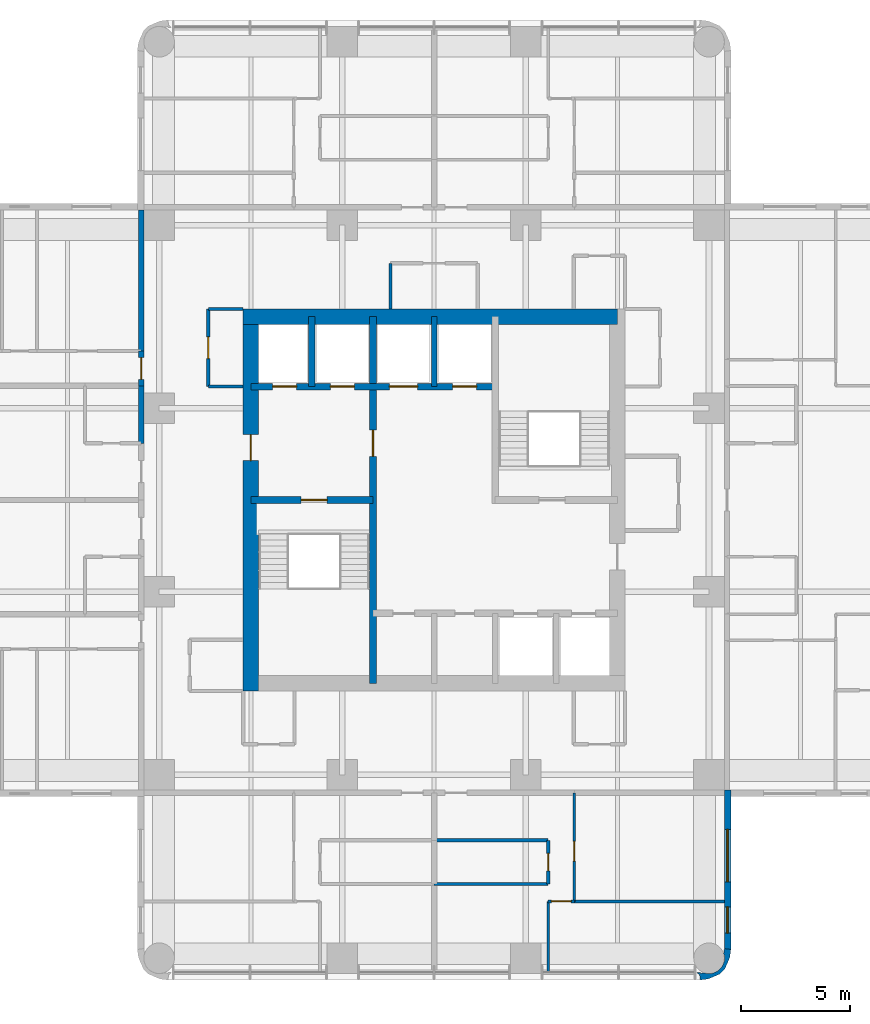
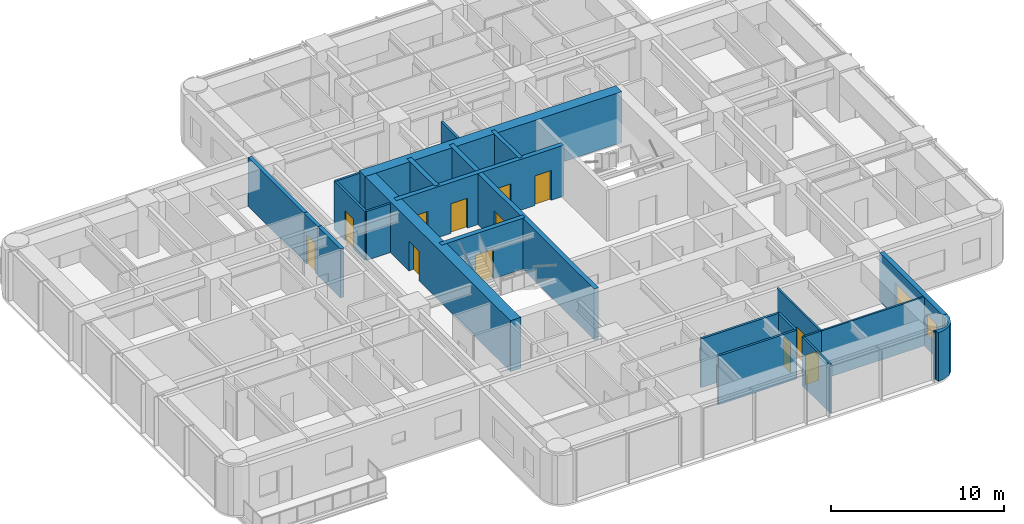
# One storey, part 6 of 11: 23 walls, 12 doors, 2 windows, 14 openings.
"""IFC4 building model written with IfcOpenShell, lengths in metres."""

from ifc_helpers import new_model, si_unit, direction, frame, frame_2d, origin, place, context, subcontext, project, spatial, polyline, rectangle, outline, extrude, material, layer, layer_set, type_object, element, fill, save


model = new_model("IFC4")

# Units and contexts
model_context = context("Model", 3, precision=1e-05, world=origin(), true_north=direction((0.0, 1.0)))
body_context = subcontext(model_context, "Body", "Model", "MODEL_VIEW")
ifc_project = project(units=[si_unit("LENGTHUNIT", "METRE"), si_unit("AREAUNIT", "SQUARE_METRE"), si_unit("VOLUMEUNIT", "CUBIC_METRE"), si_unit("PLANEANGLEUNIT", "RADIAN"), si_unit("MASSUNIT", "GRAM", prefix="KILO")], contexts=[model_context])

# Site, building, storey
site_placement = place(None, origin())
site = spatial("IfcSite", under=ifc_project, at=site_placement, CompositionType="ELEMENT")
building_placement = place(site_placement, origin())
building = spatial("IfcBuilding", under=site, at=building_placement, Name="Torre Alcanfor", CompositionType="ELEMENT")
storey_placement = place(building_placement, frame((0.0, 0.0, 212.10009765625)))
storey = spatial("IfcBuildingStorey", under=building, at=storey_placement, Name="L55", CompositionType="ELEMENT", Elevation=212.10009765625)

# Wall
ifc_material_1 = material(Name="Concrete block masonry, hollow blocks NMX-C-404 9 MPa", Category="masonry")
ifc_layer_1 = layer(ifc_material_1, 0.25)
ifc_layer_set_1 = layer_set([ifc_layer_1], Name="Apartment entrance wall 250 EI 60")
wall_type_1 = type_object("IfcWallType", Name="Apartment entrance wall 250 EI 60", PredefinedType="PARTITIONING", material=ifc_layer_set_1)
wall_1_placement = place(storey_placement, frame((15.97509765625, 32.0, 0.0), z_axis=(0.0, 0.0, 1.0), x_axis=(0.0, 1.0, 0.0)))
element("IfcWall", 1, at=wall_1_placement, inside=storey, type_object=wall_type_1, Name="Partition L55-CORR / L55-W2A-BATH", PredefinedType="PARTITIONING", context=body_context, shape_type="SweptSolid", body=[
    extrude(rectangle(XDim=2.62890625, YDim=0.25, at=frame_2d((1.314453125, 0.0))), origin(), (0.0, 0.0, 1.0), 3.449951171875),
])

# Wall, opening, door
wall_2_placement = place(storey_placement, frame((15.97509765625, 34.62890625, 0.0), z_axis=(0.0, 0.0, 1.0), x_axis=(0.0, 1.0, 0.0)))
wall_2 = element("IfcWall", 2, at=wall_2_placement, inside=storey, type_object=wall_type_1, Name="Partition L55-CORR / L55-W2B-HALL", PredefinedType="PARTITIONING", context=body_context, shape_type="SweptSolid", body=[
    extrude(rectangle(XDim=1.60009765625, YDim=0.25, at=frame_2d((0.800048828125, 0.0))), origin(), (0.0, 0.0, 1.0), 3.449951171875),
])
opening_1_placement = place(wall_2_placement, frame((0.300048828125, 0.0, 0.0)))
opening_1 = element("IfcOpeningElement", 3, at=opening_1_placement, cuts=wall_2, Name="Opening D-A1", PredefinedType="OPENING", context=body_context, shape_type="SweptSolid", body=[
    extrude(rectangle(XDim=1.0, YDim=2.10009765625, at=frame_2d((0.5, 1.050048828125))), frame((0.0, 0.135009765625, 0.0), z_axis=(0.0, -1.0, 0.0), x_axis=(1.0, 0.0, 0.0)), (0.0, 0.0, 1.0), 0.27001953125),
])
ifc_material_2 = material(Name="Galvanised steel sheet ASTM A653", Category="steel")
door_type_1 = type_object("IfcDoorType", Name="Apartment entrance door FD60 1000x2100", OperationType="SINGLE_SWING_LEFT", PredefinedType="DOOR", material=ifc_material_2)
door_1_placement = place(opening_1_placement, origin())
door_1 = element("IfcDoor", 4, at=door_1_placement, inside=storey, type_object=door_type_1, Name="Apartment entrance L55-W2B", OperationType="SINGLE_SWING_LEFT", OverallHeight=2.10009765625, OverallWidth=1.0, PredefinedType="DOOR", context=body_context, shape_type="SweptSolid", body=[
    extrude(rectangle(XDim=1.0, YDim=2.10009765625, at=frame_2d((0.5, 1.050048828125))), frame((0.0, 0.02490234375, 0.0), z_axis=(0.0, -1.0, 0.0), x_axis=(1.0, 0.0, 0.0)), (0.0, 0.0, 1.0), 0.050048828125),
])
fill(opening_1, door_1)

# Wall
wall_3_placement = place(storey_placement, frame((15.97509765625, 36.22900390625, 0.0), z_axis=(0.0, 0.0, 1.0), x_axis=(0.0, 1.0, 0.0)))
element("IfcWall", 5, at=wall_3_placement, inside=storey, type_object=wall_type_1, Name="Partition L55-CORR / L55-W2B-BED2", PredefinedType="PARTITIONING", context=body_context, shape_type="SweptSolid", body=[
    extrude(rectangle(XDim=6.470947265625, YDim=0.25, at=frame_2d((3.2353515625, 0.0))), origin(), (0.0, 0.0, 1.0), 3.449951171875),
])

# Wall, opening, door
ifc_material_3 = material(Name="Gypsum board on steel studs", Category="steel")
ifc_layer_2 = layer(ifc_material_3, 0.1201171875)
ifc_layer_set_2 = layer_set([ifc_layer_2], Name="Apartment partition 120")
wall_type_2 = type_object("IfcWallType", Name="Apartment partition 120", PredefinedType="PARTITIONING", material=ifc_layer_set_2)
wall_4_placement = place(storey_placement, frame((35.8291015625, 15.97509765625, 0.0), z_axis=(0.0, 0.0, 1.0), x_axis=(0.0, -1.0, 0.0)))
wall_4 = element("IfcWall", 6, at=wall_4_placement, inside=storey, type_object=wall_type_2, Name="Partition L55-S1-LIVING / L55-S1-BED2", PredefinedType="PARTITIONING", context=body_context, shape_type="SweptSolid", body=[
    extrude(rectangle(XDim=4.97509765625, YDim=0.1201171875, at=frame_2d((2.487548828125, 0.0))), origin(), (0.0, 0.0, 1.0), 3.449951171875),
])
opening_2_placement = place(wall_4_placement, frame((2.22509765625, 0.0, 0.0)))
opening_2 = element("IfcOpeningElement", 7, at=opening_2_placement, cuts=wall_4, Name="Opening D-R1", PredefinedType="OPENING", context=body_context, shape_type="SweptSolid", body=[
    extrude(rectangle(XDim=0.89990234375, YDim=2.10009765625, at=frame_2d((0.449951171875, 1.050048828125))), frame((0.0, 0.070068359375, 0.0), z_axis=(0.0, -1.0, 0.0), x_axis=(1.0, 0.0, 0.0)), (0.0, 0.0, 1.0), 0.14013671875),
])
ifc_material_4 = material(Name="Timber", Category="wood")
door_type_2 = type_object("IfcDoorType", Name="Internal door 900x2100", OperationType="SINGLE_SWING_LEFT", PredefinedType="DOOR", material=ifc_material_4)
door_2_placement = place(opening_2_placement, origin())
door_2 = element("IfcDoor", 8, at=door_2_placement, inside=storey, type_object=door_type_2, Name="Door L55-S1 bed2", OperationType="SINGLE_SWING_RIGHT", OverallHeight=2.10009765625, OverallWidth=0.89990234375, PredefinedType="DOOR", context=body_context, shape_type="SweptSolid", body=[
    extrude(rectangle(XDim=0.89990234375, YDim=2.10009765625, at=frame_2d((0.449951171875, 1.050048828125))), frame((0.0, 0.02490234375, 0.0), z_axis=(0.0, -1.0, 0.0), x_axis=(1.0, 0.0, 0.0)), (0.0, 0.0, 1.0), 0.050048828125),
])
fill(opening_2, door_2)

wall_5_placement = place(storey_placement, frame((35.8291015625, 11.0, 0.0), z_axis=(0.0, 0.0, 1.0), x_axis=(-1.0, 0.0, 0.0)))
wall_5 = element("IfcWall", 9, at=wall_5_placement, inside=storey, type_object=wall_type_2, Name="Partition L55-S1-LIVING / L55-S1-MASTER", PredefinedType="PARTITIONING", context=body_context, shape_type="SweptSolid", body=[
    extrude(rectangle(XDim=1.2001953125, YDim=0.1201171875, at=frame_2d((0.60009765625, 0.0))), origin(), (0.0, 0.0, 1.0), 3.449951171875),
])
opening_3_placement = place(wall_5_placement, frame((0.14892578125, 0.0, 0.0)))
opening_3 = element("IfcOpeningElement", 10, at=opening_3_placement, cuts=wall_5, Name="Opening D-R1", PredefinedType="OPENING", context=body_context, shape_type="SweptSolid", body=[
    extrude(rectangle(XDim=0.89990234375, YDim=2.10009765625, at=frame_2d((0.449951171875, 1.050048828125))), frame((0.0, 0.070068359375, 0.0), z_axis=(0.0, -1.0, 0.0), x_axis=(1.0, 0.0, 0.0)), (0.0, 0.0, 1.0), 0.14013671875),
])
door_3_placement = place(opening_3_placement, origin())
door_3 = element("IfcDoor", 11, at=door_3_placement, inside=storey, type_object=door_type_2, Name="Door L55-S1 master", OperationType="SINGLE_SWING_RIGHT", OverallHeight=2.10009765625, OverallWidth=0.89990234375, PredefinedType="DOOR", context=body_context, shape_type="SweptSolid", body=[
    extrude(rectangle(XDim=0.89990234375, YDim=2.10009765625, at=frame_2d((0.449951171875, 1.050048828125))), frame((0.0, 0.02490234375, 0.0), z_axis=(0.0, -1.0, 0.0), x_axis=(1.0, 0.0, 0.0)), (0.0, 0.0, 1.0), 0.050048828125),
])
fill(opening_3, door_3)

# Walls
wall_6_placement = place(storey_placement, frame((34.62890625, 11.0, 0.0), z_axis=(0.0, 0.0, 1.0), x_axis=(0.0, -1.0, 0.0)))
element("IfcWall", 12, at=wall_6_placement, inside=storey, type_object=wall_type_2, Name="Partition L55-S1-LIVING / L55-S1-MASTER", PredefinedType="PARTITIONING", context=body_context, shape_type="SweptSolid", body=[
    extrude(rectangle(XDim=3.25, YDim=0.1201171875, at=frame_2d((1.625, 0.0))), origin(), (0.0, 0.0, 1.0), 3.449951171875),
])
wall_7_placement = place(storey_placement, frame((35.8291015625, 11.0, 0.0), z_axis=(0.0, 0.0, 1.0), x_axis=(1.0, 0.0, 0.0)))
element("IfcWall", 13, at=wall_7_placement, inside=storey, type_object=wall_type_2, Name="Partition L55-S1-BED2 / L55-S1-MASTER", PredefinedType="PARTITIONING", context=body_context, shape_type="SweptSolid", body=[
    extrude(rectangle(XDim=6.870849609375, YDim=0.1201171875, at=frame_2d((3.435546875, 0.0))), origin(), (0.0, 0.0, 1.0), 3.449951171875),
])

# Wall, opening, door
ifc_material_5 = material(Name="Concrete f'c 70 MPa", Category="concrete")
ifc_layer_3 = layer(ifc_material_5, 0.300048828125)
ifc_layer_set_3 = layer_set([ifc_layer_3], Name="Core inner wall 300 f'c70")
wall_type_3 = type_object("IfcWallType", Name="Core inner wall 300 f'c70", PredefinedType="SHEAR", material=ifc_layer_set_3)
wall_8_placement = place(storey_placement, frame((26.60009765625, 21.0, 0.0), z_axis=(0.0, 0.0, 1.0), x_axis=(0.0, 1.0, 0.0)))
wall_8 = element("IfcWall", 14, at=wall_8_placement, inside=storey, type_object=wall_type_3, Name="Core wall X266 L55", PredefinedType="SHEAR", context=body_context, shape_type="SweptSolid", body=[
    extrude(rectangle(XDim=16.800048828125, YDim=0.300048828125, at=frame_2d((8.39990234375, 0.0))), origin(), (0.0, 0.0, 1.0), 3.599853515625),
])
opening_4_placement = place(wall_8_placement, frame((10.39990234375, 0.0, 0.0)))
opening_4 = element("IfcOpeningElement", 15, at=opening_4_placement, cuts=wall_8, Name="Opening D-L1", PredefinedType="OPENING", context=body_context, shape_type="SweptSolid", body=[
    extrude(rectangle(XDim=1.199951171875, YDim=2.10009765625, at=frame_2d((0.60009765625, 1.050048828125))), frame((0.0, 0.159912109375, 0.0), z_axis=(0.0, -1.0, 0.0), x_axis=(1.0, 0.0, 0.0)), (0.0, 0.0, 1.0), 0.320068359375),
])
ifc_material_6 = material(Name="Galvanised steel sheet ASTM A653", Category="steel")
door_type_3 = type_object("IfcDoorType", Name="Lobby door FD120 1200x2100", OperationType="SINGLE_SWING_LEFT", PredefinedType="DOOR", material=ifc_material_6)
door_4_placement = place(opening_4_placement, origin())
door_4 = element("IfcDoor", 16, at=door_4_placement, inside=storey, type_object=door_type_3, Name="Lift lobby door L55", OperationType="SINGLE_SWING_LEFT", OverallHeight=2.10009765625, OverallWidth=1.199951171875, PredefinedType="DOOR", context=body_context, shape_type="SweptSolid", body=[
    extrude(rectangle(XDim=1.199951171875, YDim=2.10009765625, at=frame_2d((0.60009765625, 1.050048828125))), frame((0.0, 0.02490234375, 0.0), z_axis=(0.0, -1.0, 0.0), x_axis=(1.0, 0.0, 0.0)), (0.0, 0.0, 1.0), 0.050048828125),
])
fill(opening_4, door_4)

wall_9_placement = place(storey_placement, frame((21.0, 29.39990234375, 0.0), z_axis=(0.0, 0.0, 1.0), x_axis=(1.0, 0.0, 0.0)))
wall_9 = element("IfcWall", 17, at=wall_9_placement, inside=storey, type_object=wall_type_3, Name="Core wall Y294W L55", PredefinedType="SHEAR", context=body_context, shape_type="SweptSolid", body=[
    extrude(rectangle(XDim=5.60009765625, YDim=0.300048828125, at=frame_2d((2.800048828125, 0.0))), origin(), (0.0, 0.0, 1.0), 3.599853515625),
])
opening_5_placement = place(wall_9_placement, frame((2.300048828125, 0.0, 0.0)))
opening_5 = element("IfcOpeningElement", 18, at=opening_5_placement, cuts=wall_9, Name="Opening D-S2", PredefinedType="OPENING", context=body_context, shape_type="SweptSolid", body=[
    extrude(rectangle(XDim=1.199951171875, YDim=2.10009765625, at=frame_2d((0.60009765625, 1.050048828125))), frame((0.0, 0.159912109375, 0.0), z_axis=(0.0, -1.0, 0.0), x_axis=(1.0, 0.0, 0.0)), (0.0, 0.0, 1.0), 0.320068359375),
])
ifc_material_7 = material(Name="Galvanised steel sheet ASTM A653", Category="steel")
door_type_4 = type_object("IfcDoorType", Name="Stair enclosure door FD120 1200x2100", OperationType="SINGLE_SWING_LEFT", PredefinedType="DOOR", material=ifc_material_7)
door_5_placement = place(opening_5_placement, frame((1.199951171875, 0.0, 0.0), z_axis=(0.0, 0.0, 1.0), x_axis=(-1.0, 0.0, 0.0)))
door_5 = element("IfcDoor", 19, at=door_5_placement, inside=storey, type_object=door_type_4, Name="Stair S1 door L55", OperationType="SINGLE_SWING_LEFT", OverallHeight=2.10009765625, OverallWidth=1.199951171875, PredefinedType="DOOR", context=body_context, shape_type="SweptSolid", body=[
    extrude(rectangle(XDim=1.199951171875, YDim=2.10009765625, at=frame_2d((0.599853515625, 1.050048828125))), frame((0.0, 0.025146484375, 0.0), z_axis=(0.0, -1.0, 0.0), x_axis=(1.0, 0.0, 0.0)), (0.0, 0.0, 1.0), 0.050048828125),
])
fill(opening_5, door_5)

# Wall, openings, doors
wall_10_placement = place(storey_placement, frame((21.0, 34.60009765625, 0.0), z_axis=(0.0, 0.0, 1.0), x_axis=(1.0, 0.0, 0.0)))
wall_10 = element("IfcWall", 20, at=wall_10_placement, inside=storey, type_object=wall_type_3, Name="Core wall Y346 L55", PredefinedType="SHEAR", context=body_context, shape_type="SweptSolid", body=[
    extrude(rectangle(XDim=11.199951171875, YDim=0.300048828125, at=frame_2d((5.60009765625, 0.0))), origin(), (0.0, 0.0, 1.0), 3.599853515625),
])
opening_6_placement = place(wall_10_placement, frame((9.25, 0.0, 0.0)))
opening_6 = element("IfcOpeningElement", 21, at=opening_6_placement, cuts=wall_10, Name="Opening LD1", PredefinedType="OPENING", context=body_context, shape_type="SweptSolid", body=[
    extrude(rectangle(XDim=1.10009765625, YDim=2.10009765625, at=frame_2d((0.550048828125, 1.050048828125))), frame((0.0, 0.159912109375, 0.0), z_axis=(0.0, -1.0, 0.0), x_axis=(1.0, 0.0, 0.0)), (0.0, 0.0, 1.0), 0.320068359375),
])
opening_7_placement = place(wall_10_placement, frame((1.0, 0.0, 0.0)))
opening_7 = element("IfcOpeningElement", 22, at=opening_7_placement, cuts=wall_10, Name="Opening LD2", PredefinedType="OPENING", context=body_context, shape_type="SweptSolid", body=[
    extrude(rectangle(XDim=1.10009765625, YDim=2.10009765625, at=frame_2d((0.550048828125, 1.050048828125))), frame((0.0, 0.159912109375, 0.0), z_axis=(0.0, -1.0, 0.0), x_axis=(1.0, 0.0, 0.0)), (0.0, 0.0, 1.0), 0.320068359375),
])
opening_8_placement = place(wall_10_placement, frame((3.64990234375, 0.0, 0.0)))
opening_8 = element("IfcOpeningElement", 23, at=opening_8_placement, cuts=wall_10, Name="Opening LD2", PredefinedType="OPENING", context=body_context, shape_type="SweptSolid", body=[
    extrude(rectangle(XDim=1.10009765625, YDim=2.10009765625, at=frame_2d((0.550048828125, 1.050048828125))), frame((0.0, 0.159912109375, 0.0), z_axis=(0.0, -1.0, 0.0), x_axis=(1.0, 0.0, 0.0)), (0.0, 0.0, 1.0), 0.320068359375),
])
opening_9_placement = place(wall_10_placement, frame((6.35009765625, 0.0, 0.0)))
opening_9 = element("IfcOpeningElement", 24, at=opening_9_placement, cuts=wall_10, Name="Opening LD3", PredefinedType="OPENING", context=body_context, shape_type="SweptSolid", body=[
    extrude(rectangle(XDim=1.300048828125, YDim=2.10009765625, at=frame_2d((0.64990234375, 1.050048828125))), frame((0.0, 0.159912109375, 0.0), z_axis=(0.0, -1.0, 0.0), x_axis=(1.0, 0.0, 0.0)), (0.0, 0.0, 1.0), 0.320068359375),
])
ifc_material_8 = material(Name="Galvanised steel sheet ASTM A653", Category="steel")
door_type_5 = type_object("IfcDoorType", Name="Firefighting lift landing door 1100x2100", OperationType="DOUBLE_DOOR_SLIDING", PredefinedType="DOOR", material=ifc_material_8)
door_6_placement = place(opening_7_placement, origin())
door_6 = element("IfcDoor", 25, at=door_6_placement, inside=storey, type_object=door_type_5, Name="Lift landing door FL1 L55", OperationType="DOUBLE_DOOR_SLIDING", OverallHeight=2.10009765625, OverallWidth=1.10009765625, PredefinedType="DOOR", context=body_context, shape_type="SweptSolid", body=[
    extrude(rectangle(XDim=1.10009765625, YDim=2.10009765625, at=frame_2d((0.550048828125, 1.050048828125))), frame((0.0, 0.02490234375, 0.0), z_axis=(0.0, -1.0, 0.0), x_axis=(1.0, 0.0, 0.0)), (0.0, 0.0, 1.0), 0.050048828125),
])
fill(opening_7, door_6)
door_7_placement = place(opening_8_placement, origin())
door_7 = element("IfcDoor", 26, at=door_7_placement, inside=storey, type_object=door_type_5, Name="Lift landing door FL2 L55", OperationType="DOUBLE_DOOR_SLIDING", OverallHeight=2.10009765625, OverallWidth=1.10009765625, PredefinedType="DOOR", context=body_context, shape_type="SweptSolid", body=[
    extrude(rectangle(XDim=1.10009765625, YDim=2.10009765625, at=frame_2d((0.550048828125, 1.050048828125))), frame((0.0, 0.02490234375, 0.0), z_axis=(0.0, -1.0, 0.0), x_axis=(1.0, 0.0, 0.0)), (0.0, 0.0, 1.0), 0.050048828125),
])
fill(opening_8, door_7)
ifc_material_9 = material(Name="Galvanised steel sheet ASTM A653", Category="steel")
door_type_6 = type_object("IfcDoorType", Name="Lift landing door 1100x2100", OperationType="DOUBLE_DOOR_SLIDING", PredefinedType="DOOR", material=ifc_material_9)
door_8_placement = place(opening_6_placement, origin())
door_8 = element("IfcDoor", 27, at=door_8_placement, inside=storey, type_object=door_type_6, Name="Lift landing door PA5 L55", OperationType="DOUBLE_DOOR_SLIDING", OverallHeight=2.10009765625, OverallWidth=1.10009765625, PredefinedType="DOOR", context=body_context, shape_type="SweptSolid", body=[
    extrude(rectangle(XDim=1.10009765625, YDim=2.10009765625, at=frame_2d((0.550048828125, 1.050048828125))), frame((0.0, 0.02490234375, 0.0), z_axis=(0.0, -1.0, 0.0), x_axis=(1.0, 0.0, 0.0)), (0.0, 0.0, 1.0), 0.050048828125),
])
fill(opening_6, door_8)
ifc_material_10 = material(Name="Galvanised steel sheet ASTM A653", Category="steel")
door_type_7 = type_object("IfcDoorType", Name="Service lift landing door 1300x2100", OperationType="DOUBLE_DOOR_SLIDING", PredefinedType="DOOR", material=ifc_material_10)
door_9_placement = place(opening_9_placement, origin())
door_9 = element("IfcDoor", 28, at=door_9_placement, inside=storey, type_object=door_type_7, Name="Lift landing door SL1 L55", OperationType="DOUBLE_DOOR_SLIDING", OverallHeight=2.10009765625, OverallWidth=1.300048828125, PredefinedType="DOOR", context=body_context, shape_type="SweptSolid", body=[
    extrude(rectangle(XDim=1.300048828125, YDim=2.10009765625, at=frame_2d((0.64990234375, 1.050048828125))), frame((0.0, 0.02490234375, 0.0), z_axis=(0.0, -1.0, 0.0), x_axis=(1.0, 0.0, 0.0)), (0.0, 0.0, 1.0), 0.050048828125),
])
fill(opening_9, door_9)

# Walls
wall_11_placement = place(storey_placement, frame((23.800048828125, 34.60009765625, 0.0), z_axis=(0.0, 0.0, 1.0), x_axis=(0.0, 1.0, 0.0)))
element("IfcWall", 29, at=wall_11_placement, inside=storey, type_object=wall_type_3, Name="Core wall X238 L55", PredefinedType="SHEAR", context=body_context, shape_type="SweptSolid", body=[
    extrude(rectangle(XDim=3.199951171875, YDim=0.300048828125, at=frame_2d((1.60009765625, 0.0))), origin(), (0.0, 0.0, 1.0), 3.599853515625),
])
ifc_material_11 = material(Name="Concrete f'c 70 MPa", Category="concrete")
ifc_layer_4 = layer(ifc_material_11, 0.25)
ifc_layer_set_4 = layer_set([ifc_layer_4], Name="Core shaft wall 250 f'c70")
wall_type_4 = type_object("IfcWallType", Name="Core shaft wall 250 f'c70", PredefinedType="SHEAR", material=ifc_layer_set_4)
wall_12_placement = place(storey_placement, frame((29.39990234375, 34.60009765625, 0.0), z_axis=(0.0, 0.0, 1.0), x_axis=(0.0, 1.0, 0.0)))
element("IfcWall", 30, at=wall_12_placement, inside=storey, type_object=wall_type_4, Name="Core wall X294N L55", PredefinedType="SHEAR", context=body_context, shape_type="SweptSolid", body=[
    extrude(rectangle(XDim=3.199951171875, YDim=0.25, at=frame_2d((1.60009765625, 0.0))), origin(), (0.0, 0.0, 1.0), 3.599853515625),
])
ifc_material_12 = material(Name="Concrete f'c 70 MPa", Category="concrete")
ifc_layer_5 = layer(ifc_material_12, 0.699951171875)
ifc_layer_set_5 = layer_set([ifc_layer_5], Name="Core wall 700 f'c70")
wall_type_5 = type_object("IfcWallType", Name="Core wall 700 f'c70", PredefinedType="SHEAR", material=ifc_layer_set_5)
wall_13_placement = place(storey_placement, frame((37.800048828125, 37.800048828125, 0.0), z_axis=(0.0, 0.0, 1.0), x_axis=(-1.0, 0.0, 0.0)))
element("IfcWall", 31, at=wall_13_placement, inside=storey, type_object=wall_type_5, Name="Core wall OUT-N L55", PredefinedType="SHEAR", context=body_context, shape_type="SweptSolid", body=[
    extrude(rectangle(XDim=17.150146484375, YDim=0.699951171875, at=frame_2d((8.5751953125, 0.0))), origin(), (0.0, 0.0, 1.0), 3.599853515625),
])

# Wall, opening, door
wall_14_placement = place(storey_placement, frame((21.0, 37.800048828125, 0.0), z_axis=(0.0, 0.0, 1.0), x_axis=(0.0, -1.0, 0.0)))
wall_14 = element("IfcWall", 32, at=wall_14_placement, inside=storey, type_object=wall_type_5, Name="Core wall OUT-W L55", PredefinedType="SHEAR", context=body_context, shape_type="SweptSolid", body=[
    extrude(rectangle(XDim=17.150146484375, YDim=0.699951171875, at=frame_2d((8.5751953125, 0.0))), origin(), (0.0, 0.0, 1.0), 3.599853515625),
])
opening_10_placement = place(wall_14_placement, frame((5.39990234375, 0.0, 0.0)))
opening_10 = element("IfcOpeningElement", 33, at=opening_10_placement, cuts=wall_14, Name="Opening D-L1", PredefinedType="OPENING", context=body_context, shape_type="SweptSolid", body=[
    extrude(rectangle(XDim=1.199951171875, YDim=2.10009765625, at=frame_2d((0.60009765625, 1.050048828125))), frame((0.0, 0.35986328125, 0.0), z_axis=(0.0, -1.0, 0.0), x_axis=(1.0, 0.0, 0.0)), (0.0, 0.0, 1.0), 0.719970703125),
])
door_10_placement = place(opening_10_placement, origin())
door_10 = element("IfcDoor", 34, at=door_10_placement, inside=storey, type_object=door_type_3, Name="Firefighting lobby door L55", OperationType="SINGLE_SWING_LEFT", OverallHeight=2.10009765625, OverallWidth=1.199951171875, PredefinedType="DOOR", context=body_context, shape_type="SweptSolid", body=[
    extrude(rectangle(XDim=1.199951171875, YDim=2.10009765625, at=frame_2d((0.60009765625, 1.050048828125))), frame((0.0, 0.02490234375, 0.0), z_axis=(0.0, -1.0, 0.0), x_axis=(1.0, 0.0, 0.0)), (0.0, 0.0, 1.0), 0.050048828125),
])
fill(opening_10, door_10)

# Wall, openings, windows
ifc_material_13 = material(Name="Limestone cladding", Category="masonry")
ifc_layer_6 = layer(ifc_material_13, 0.0400390625, Name="Facing")
ifc_material_14 = material(Name="Ventilated air cavity")
ifc_layer_7 = layer(ifc_material_14, 0.02001953125, ventilated=True, Name="Ventilated joint")
ifc_material_15 = material(Name="Mineral wool insulation", Category="insulation")
ifc_layer_8 = layer(ifc_material_15, 0.10009765625, Name="Insulation")
ifc_material_16 = material(Name="Concrete f'c 35 MPa", Category="concrete")
ifc_layer_9 = layer(ifc_material_16, 0.139892578125, Name="Backing")
ifc_layer_set_6 = layer_set([ifc_layer_6, ifc_layer_7, ifc_layer_8, ifc_layer_9], Name="External wall stone-clad 300")
wall_type_6 = type_object("IfcWallType", Name="External wall stone-clad 300", PredefinedType="SOLIDWALL", material=ifc_layer_set_6)
wall_15_placement = place(storey_placement, frame((42.85009765625, 8.800048828125, 0.0), z_axis=(0.0, 0.0, 1.0), x_axis=(0.0, 1.0, 0.0)))
wall_15 = element("IfcWall", 35, at=wall_15_placement, inside=storey, type_object=wall_type_6, Name="External wall L55 6", PredefinedType="SOLIDWALL", context=body_context, shape_type="SweptSolid", body=[
    extrude(rectangle(XDim=7.300048828125, YDim=0.300048828125, at=frame_2d((3.64990234375, 0.0))), origin(), (0.0, 0.0, 1.0), 3.449951171875),
])
opening_11_placement = place(wall_15_placement, frame((3.10009765625, 0.0, 0.89990234375)))
opening_11 = element("IfcOpeningElement", 36, at=opening_11_placement, cuts=wall_15, Name="Opening W1", PredefinedType="OPENING", context=body_context, shape_type="SweptSolid", body=[
    extrude(rectangle(XDim=2.39990234375, YDim=1.5, at=frame_2d((1.199951171875, 0.75))), frame((0.0, 0.159912109375, 0.0), z_axis=(0.0, -1.0, 0.0), x_axis=(1.0, 0.0, 0.0)), (0.0, 0.0, 1.0), 0.320068359375),
])
opening_12_placement = place(wall_15_placement, frame((0.75, 0.0, 0.89990234375)))
opening_12 = element("IfcOpeningElement", 37, at=opening_12_placement, cuts=wall_15, Name="Opening W4", PredefinedType="OPENING", context=body_context, shape_type="SweptSolid", body=[
    extrude(rectangle(XDim=1.199951171875, YDim=1.5, at=frame_2d((0.60009765625, 0.75))), frame((0.0, 0.159912109375, 0.0), z_axis=(0.0, -1.0, 0.0), x_axis=(1.0, 0.0, 0.0)), (0.0, 0.0, 1.0), 0.320068359375),
])
ifc_material_17 = material(Name="Aluminium frame with clear double glazing", Category="aluminium")
window_type_1 = type_object("IfcWindowType", Name="Window bedroom 1200x1500", PartitioningType="SINGLE_PANEL", PredefinedType="WINDOW", material=ifc_material_17)
window_1_placement = place(opening_12_placement, origin())
window_1 = element("IfcWindow", 38, at=window_1_placement, inside=storey, type_object=window_type_1, Name="Window W4 L55-S1", OverallHeight=1.5, OverallWidth=1.199951171875, PartitioningType="SINGLE_PANEL", PredefinedType="WINDOW", context=body_context, shape_type="SweptSolid", body=[
    extrude(rectangle(XDim=1.199951171875, YDim=1.5, at=frame_2d((0.60009765625, 0.75))), frame((0.0, 0.030029296875, 0.0), z_axis=(0.0, -1.0, 0.0), x_axis=(1.0, 0.0, 0.0)), (0.0, 0.0, 1.0), 0.06005859375),
])
fill(opening_12, window_1)
ifc_material_18 = material(Name="Aluminium frame with clear double glazing", Category="aluminium")
window_type_2 = type_object("IfcWindowType", Name="Window bedroom 2400x1500", PartitioningType="SINGLE_PANEL", PredefinedType="WINDOW", material=ifc_material_18)
window_2_placement = place(opening_11_placement, origin())
window_2 = element("IfcWindow", 39, at=window_2_placement, inside=storey, type_object=window_type_2, Name="Window W1 L55-S1", OverallHeight=1.5, OverallWidth=2.39990234375, PartitioningType="SINGLE_PANEL", PredefinedType="WINDOW", context=body_context, shape_type="SweptSolid", body=[
    extrude(rectangle(XDim=2.39990234375, YDim=1.5, at=frame_2d((1.199951171875, 0.75))), frame((0.0, 0.030029296875, 0.0), z_axis=(0.0, -1.0, 0.0), x_axis=(1.0, 0.0, 0.0)), (0.0, 0.0, 1.0), 0.06005859375),
])
fill(opening_11, window_2)

# Walls
ifc_material_19 = material(Name="Concrete block masonry, hollow blocks NMX-C-404 9 MPa", Category="masonry")
ifc_layer_10 = layer(ifc_material_19, 0.14990234375)
ifc_layer_set_7 = layer_set([ifc_layer_10], Name="Residents' room partition 150")
wall_type_7 = type_object("IfcWallType", Name="Residents' room partition 150", PredefinedType="PARTITIONING", material=ifc_layer_set_7)
wall_16_placement = place(storey_placement, frame((27.39990234375, 40.25, 0.0), z_axis=(0.0, 0.0, 1.0), x_axis=(0.0, -1.0, 0.0)))
element("IfcWall", 40, at=wall_16_placement, inside=storey, type_object=wall_type_7, Name="Partition L55-CORR / L55-G01", PredefinedType="PARTITIONING", context=body_context, shape_type="SweptSolid", body=[
    extrude(rectangle(XDim=2.10009765625, YDim=0.14990234375, at=frame_2d((1.050048828125, 0.0))), origin(), (0.0, 0.0, 1.0), 3.449951171875),
])
wall_17_placement = place(storey_placement, frame((20.64990234375, 38.14990234375, 0.0), z_axis=(0.0, 0.0, 1.0), x_axis=(-1.0, 0.0, 0.0)))
element("IfcWall", 41, at=wall_17_placement, inside=storey, type_object=wall_type_7, Name="Partition L55-CORR / L55-G08", PredefinedType="PARTITIONING", context=body_context, shape_type="SweptSolid", body=[
    extrude(rectangle(XDim=1.599853515625, YDim=0.14990234375, at=frame_2d((0.7998046875, 0.0))), origin(), (0.0, 0.0, 1.0), 3.449951171875),
])

# Wall, opening, door
wall_18_placement = place(storey_placement, frame((19.050048828125, 38.14990234375, 0.0), z_axis=(0.0, 0.0, 1.0), x_axis=(0.0, -1.0, 0.0)))
wall_18 = element("IfcWall", 42, at=wall_18_placement, inside=storey, type_object=wall_type_7, Name="Partition L55-CORR / L55-G08", PredefinedType="PARTITIONING", context=body_context, shape_type="SweptSolid", body=[
    extrude(rectangle(XDim=3.5498046875, YDim=0.14990234375, at=frame_2d((1.77490234375, 0.0))), origin(), (0.0, 0.0, 1.0), 3.449951171875),
])
opening_13_placement = place(wall_18_placement, frame((1.27490234375, 0.0, 0.0)))
opening_13 = element("IfcOpeningElement", 43, at=opening_13_placement, cuts=wall_18, Name="Opening D-M1", PredefinedType="OPENING", context=body_context, shape_type="SweptSolid", body=[
    extrude(rectangle(XDim=1.0, YDim=2.10009765625, at=frame_2d((0.5, 1.050048828125))), frame((0.0, 0.0849609375, 0.0), z_axis=(0.0, -1.0, 0.0), x_axis=(1.0, 0.0, 0.0)), (0.0, 0.0, 1.0), 0.169921875),
])
ifc_material_20 = material(Name="Timber", Category="wood")
door_type_8 = type_object("IfcDoorType", Name="Residents' room door 1000x2100", OperationType="SINGLE_SWING_LEFT", PredefinedType="DOOR", material=ifc_material_20)
door_11_placement = place(opening_13_placement, origin())
door_11 = element("IfcDoor", 44, at=door_11_placement, inside=storey, type_object=door_type_8, Name="Door L55-G08 linen store", OperationType="SINGLE_SWING_LEFT", OverallHeight=2.10009765625, OverallWidth=1.0, PredefinedType="DOOR", context=body_context, shape_type="SweptSolid", body=[
    extrude(rectangle(XDim=1.0, YDim=2.10009765625, at=frame_2d((0.5, 1.050048828125))), frame((0.0, 0.02490234375, 0.0), z_axis=(0.0, -1.0, 0.0), x_axis=(1.0, 0.0, 0.0)), (0.0, 0.0, 1.0), 0.050048828125),
])
fill(opening_13, door_11)

# Walls
wall_19_placement = place(storey_placement, frame((19.050048828125, 34.60009765625, 0.0), z_axis=(0.0, 0.0, 1.0), x_axis=(1.0, 0.0, 0.0)))
element("IfcWall", 45, at=wall_19_placement, inside=storey, type_object=wall_type_7, Name="Partition L55-CORR / L55-G08", PredefinedType="PARTITIONING", context=body_context, shape_type="SweptSolid", body=[
    extrude(rectangle(XDim=1.599853515625, YDim=0.14990234375, at=frame_2d((0.7998046875, 0.0))), origin(), (0.0, 0.0, 1.0), 3.449951171875),
])
ifc_layer_11 = layer(ifc_material_13, 0.0400390625, Name="Facing")
ifc_layer_12 = layer(ifc_material_14, 0.02001953125, ventilated=True, Name="Ventilated joint")
ifc_layer_13 = layer(ifc_material_15, 0.10009765625, Name="Insulation")
ifc_layer_14 = layer(ifc_material_16, 0.139892578125, Name="Backing")
ifc_layer_set_8 = layer_set([ifc_layer_11, ifc_layer_12, ifc_layer_13, ifc_layer_14], Name="Rounded corner pier stone-clad 300")
wall_type_8 = type_object("IfcWallType", Name="Rounded corner pier stone-clad 300", PredefinedType="SOLIDWALL", material=ifc_layer_set_8)
wall_20_placement = place(storey_placement, frame((41.487674505, 7.81184816, 0.0), z_axis=(0.0, 0.0, 1.0), x_axis=(0.439933741929, -0.898030234854, 0.0)))
element("IfcWall", 46, at=wall_20_placement, inside=storey, type_object=wall_type_8, Name="Corner pier L55 16", PredefinedType="SOLIDWALL", context=body_context, shape_type="SweptSolid", body=[
    extrude(outline(polyline([(-0.22211106405008596, 1.79285683715578), (-0.38963046514304167, 1.5408036407584151), (-0.3716523207929293, 1.5319963734639448), (-0.19468756344442484, 1.4143112499146666), (-0.11952867709650372, 1.4095716139925836), (0.13084986982823227, 1.2869143060622759), (0.31521775375122, 1.077790939273673), (0.4056918504372342, 0.8140758848288827), (0.38808178724257975, 0.5356161745678794), (0.2654244793122719, 0.2852376276431435), (0.2089428669679142, 0.23542648619150297), (0.14753391384334946, 0.052913590909571956), (0.10500025525893722, 0.07375029645990445), (0.031856974435347366, -0.07555599991115089), (0.1375846098688884, -0.03953909720776211), (0.1818140873587874, -0.00030939302076338215), (0.41939853572309777, -0.08026947549461516), (0.5358164427032454, 0.26614260505761644), (0.5587307592354187, 0.6309028220812384), (0.5547454122460747, 0.6510699721236227), (0.5663481591314005, 0.8356895887147825), (0.4554073490163316, 1.1591818423176052), (0.33330228334154954, 1.2978396679318425), (0.3239786746038034, 1.3165440299102549), (0.08230538830534162, 1.5907138760183892), (-0.22211106405008596, 1.79285683715578)])), origin(), (0.0, 0.0, 1.0), 3.449951171875),
])
ifc_material_21 = material(Name="Cement board on steel studs", Category="steel")
ifc_layer_15 = layer(ifc_material_21, 0.14990234375)
ifc_layer_set_9 = layer_set([ifc_layer_15], Name="Wet area partition 150")
wall_type_9 = type_object("IfcWallType", Name="Wet area partition 150", PredefinedType="PARTITIONING", material=ifc_layer_set_9)
wall_21_placement = place(storey_placement, frame((29.39990234375, 11.800048828125, 0.0), z_axis=(0.0, 0.0, 1.0), x_axis=(1.0, 0.0, 0.0)))
element("IfcWall", 47, at=wall_21_placement, inside=storey, type_object=wall_type_9, Name="Partition L55-S1-BATH / L55-S1-LIVING", PredefinedType="PARTITIONING", context=body_context, shape_type="SweptSolid", body=[
    extrude(rectangle(XDim=5.22900390625, YDim=0.14990234375, at=frame_2d((2.614501953125, 0.0))), origin(), (0.0, 0.0, 1.0), 3.449951171875),
])

# Wall, opening, door
wall_22_placement = place(storey_placement, frame((34.62890625, 11.800048828125, 0.0), z_axis=(0.0, 0.0, 1.0), x_axis=(0.0, 1.0, 0.0)))
wall_22 = element("IfcWall", 48, at=wall_22_placement, inside=storey, type_object=wall_type_9, Name="Partition L55-S1-BATH / L55-S1-LIVING", PredefinedType="PARTITIONING", context=body_context, shape_type="SweptSolid", body=[
    extrude(rectangle(XDim=2.0, YDim=0.14990234375, at=frame_2d((1.0, 0.0))), origin(), (0.0, 0.0, 1.0), 3.449951171875),
])
opening_14_placement = place(wall_22_placement, frame((0.60009765625, 0.0, 0.0)))
opening_14 = element("IfcOpeningElement", 49, at=opening_14_placement, cuts=wall_22, Name="Opening D-R2", PredefinedType="OPENING", context=body_context, shape_type="SweptSolid", body=[
    extrude(rectangle(XDim=0.800048828125, YDim=2.10009765625, at=frame_2d((0.39990234375, 1.050048828125))), frame((0.0, 0.0849609375, 0.0), z_axis=(0.0, -1.0, 0.0), x_axis=(1.0, 0.0, 0.0)), (0.0, 0.0, 1.0), 0.169921875),
])
ifc_material_22 = material(Name="Timber", Category="wood")
door_type_9 = type_object("IfcDoorType", Name="Bathroom door 800x2100", OperationType="SINGLE_SWING_LEFT", PredefinedType="DOOR", material=ifc_material_22)
door_12_placement = place(opening_14_placement, origin())
door_12 = element("IfcDoor", 50, at=door_12_placement, inside=storey, type_object=door_type_9, Name="Door L55-S1 bath", OperationType="SINGLE_SWING_LEFT", OverallHeight=2.10009765625, OverallWidth=0.800048828125, PredefinedType="DOOR", context=body_context, shape_type="SweptSolid", body=[
    extrude(rectangle(XDim=0.800048828125, YDim=2.10009765625, at=frame_2d((0.39990234375, 1.050048828125))), frame((0.0, 0.02490234375, 0.0), z_axis=(0.0, -1.0, 0.0), x_axis=(1.0, 0.0, 0.0)), (0.0, 0.0, 1.0), 0.050048828125),
])
fill(opening_14, door_12)

# Wall
wall_23_placement = place(storey_placement, frame((34.62890625, 13.800048828125, 0.0), z_axis=(0.0, 0.0, 1.0), x_axis=(-1.0, 0.0, 0.0)))
element("IfcWall", 51, at=wall_23_placement, inside=storey, type_object=wall_type_9, Name="Partition L55-S1-BATH / L55-S1-LIVING", PredefinedType="PARTITIONING", context=body_context, shape_type="SweptSolid", body=[
    extrude(rectangle(XDim=5.22900390625, YDim=0.14990234375, at=frame_2d((2.614501953125, 0.0))), origin(), (0.0, 0.0, 1.0), 3.449951171875),
])

save(model, "model.ifc")
